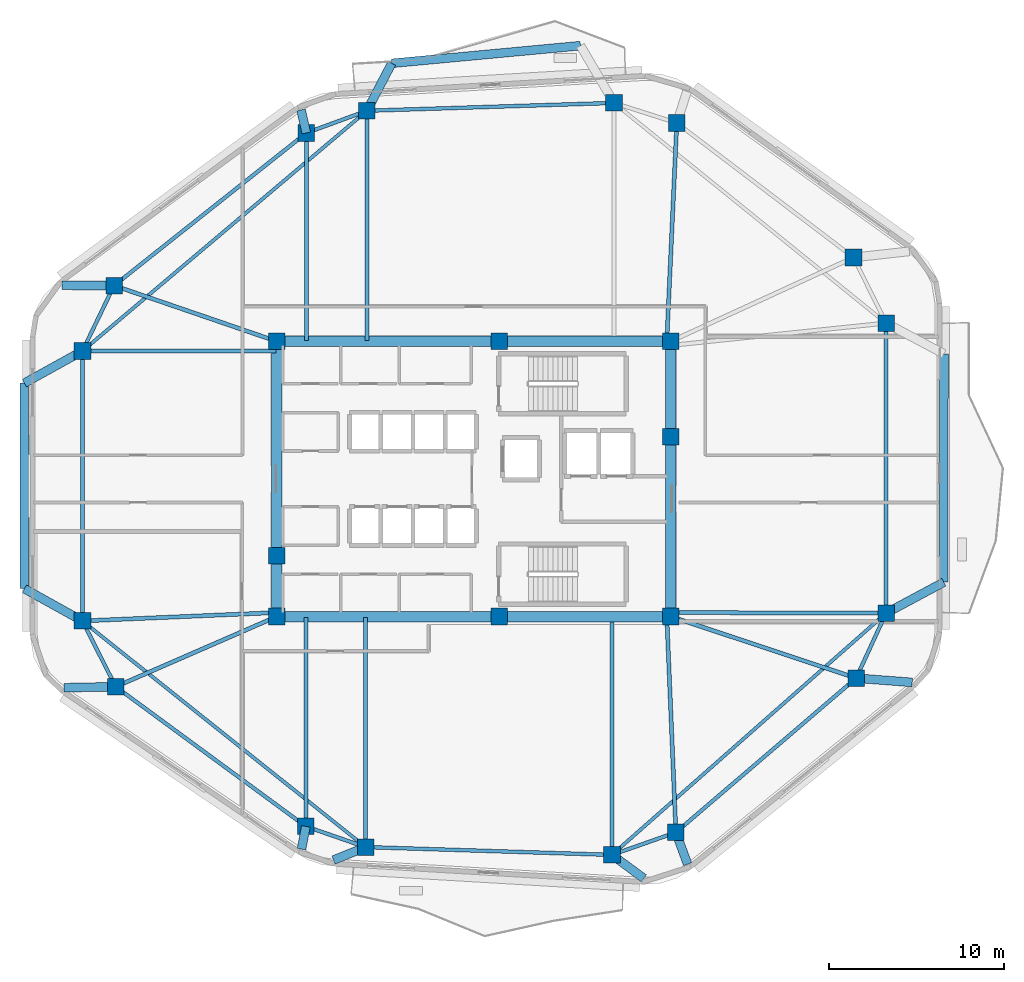
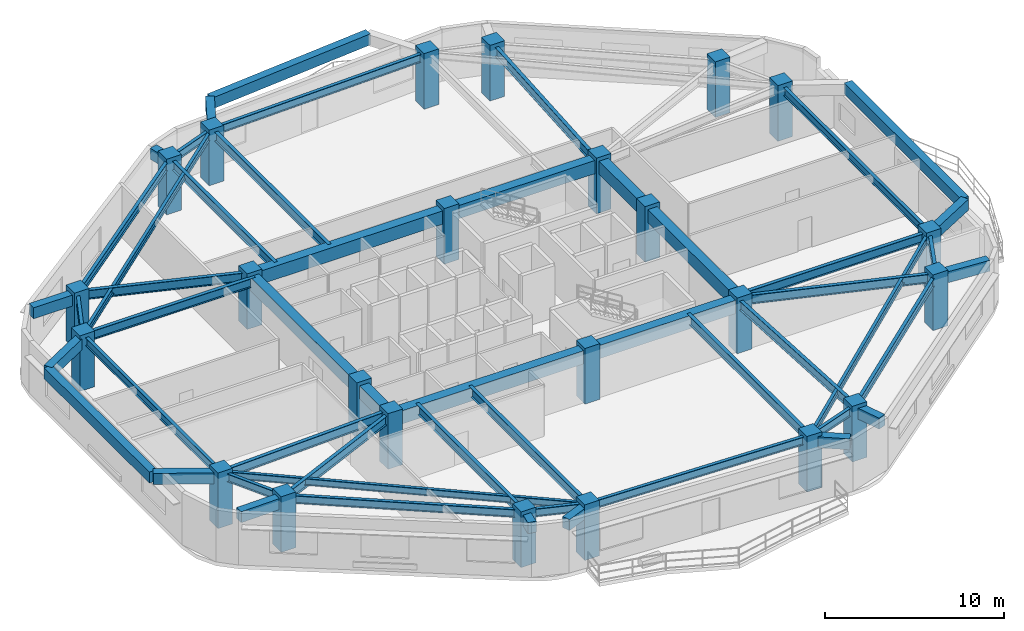
# One storey, part 1 of 8: 52 beams, 24 columns.
"""IFC4 building model written with IfcOpenShell, lengths in metres."""

from ifc_helpers import new_model, si_unit, direction, frame, origin, origin_2d, place, context, subcontext, project, spatial, rectangle, i_section, extrude, material, material_profile, profile_set, type_object, element, save


model = new_model("IFC4")

# Units and contexts
model_context = context("Model", 3, precision=1e-05, world=origin(), true_north=direction((0.0, 1.0)))
body_context = subcontext(model_context, "Body", "Model", "MODEL_VIEW")
ifc_project = project(units=[si_unit("LENGTHUNIT", "METRE"), si_unit("AREAUNIT", "SQUARE_METRE"), si_unit("VOLUMEUNIT", "CUBIC_METRE"), si_unit("PLANEANGLEUNIT", "RADIAN"), si_unit("MASSUNIT", "GRAM", prefix="KILO")], contexts=[model_context])

# Site, building, storey
site_placement = place(None, origin())
site = spatial("IfcSite", under=ifc_project, at=site_placement, CompositionType="ELEMENT")
building_placement = place(site_placement, origin())
building = spatial("IfcBuilding", under=site, at=building_placement, Name="Zulverin Broadcast Headquarters", CompositionType="ELEMENT")
storey_placement = place(building_placement, frame((0.0, 0.0, 204.800048828125)))
storey = spatial("IfcBuildingStorey", under=building, at=storey_placement, Name="L52", CompositionType="ELEMENT", Elevation=204.800048828125)

# Columns
ifc_material_1 = material(Name="Concrete C50/60", Category="concrete")
ifc_material_profile_1 = material_profile(ifc_material_1, rectangle(XDim=0.949951171875, YDim=0.949951171875, at=origin_2d()), Name="Concrete C50/60", Category="concrete")
ifc_profile_set_1 = profile_set([ifc_material_profile_1], Name="Concrete C50/60")
column_type_1 = type_object("IfcColumnType", Name="COL-RC-950", PredefinedType="COLUMN", material=ifc_profile_set_1)
for number, where, z_axis, x_axis, name in (
    (1, (30.80859375, 4.12744140625, 0.0), (0.0, 0.0, 1.0), (1.0, 0.0, 0.0), "L52 Perimeter Column T01"),
    (2, (44.909912109375, 3.68017578125, 0.0), (0.0, 0.0, 1.0), (1.0, 0.0, 0.0), "L52 Perimeter Column T02"),
    (3, (48.569580078125, 4.967041015625, 0.0), (0.0, 0.0, 1.0), (1.0, 0.0, 0.0), "L52 Perimeter Column T03"),
    (4, (58.886962890625, 13.798095703125, 0.0), (0.0, 0.0, 1.0), (1.0, 0.0, 0.0), "L52 Perimeter Column T04"),
    (5, (60.60009765625, 17.519287109375, 0.0), (0.0, 0.0, 1.0), (1.0, 0.0, 0.0), "L52 Perimeter Column T05"),
    (6, (60.60009765625, 34.12158203125, 0.0), (0.0, 0.0, 1.0), (1.0, 0.0, 0.0), "L52 Perimeter Column T06"),
    (7, (58.738037109375, 37.877685546875, 0.0), (0.0, 0.0, 1.0), (1.0, 0.0, 0.0), "L52 Perimeter Column T07"),
    (8, (48.62158203125, 45.574951171875, 0.0), (0.0, 0.0, 1.0), (1.0, 0.0, 0.0), "L52 Perimeter Column T08"),
    (9, (45.027587890625, 46.7236328125, 0.0), (0.0, 0.0, 1.0), (1.0, 0.0, 0.0), "L52 Perimeter Column T09"),
    (10, (30.882080078125, 46.27490234375, 0.0), (0.0, 0.0, 1.0), (1.0, 0.0, 0.0), "L52 Perimeter Column T10"),
    (11, (27.416259765625, 45.00439453125, 0.0), (0.0, 0.0, 1.0), (1.0, 0.0, 0.0), "L52 Perimeter Column T11"),
    (12, (16.40869140625, 36.26806640625, 0.0), (0.0, 0.0, 1.0), (1.0, 0.0, 0.0), "L52 Perimeter Column T12"),
    (13, (14.60009765625, 32.523193359375, 0.0), (0.0, 0.0, 1.0), (1.0, 0.0, 0.0), "L52 Perimeter Column T13"),
    (14, (14.60009765625, 17.072021484375, 0.0), (0.0, 0.0, 1.0), (1.0, 0.0, 0.0), "L52 Perimeter Column T14"),
    (15, (16.50537109375, 13.306884765625, 0.0), (0.0, 0.0, 1.0), (1.0, 0.0, 0.0), "L52 Perimeter Column T15"),
    (16, (27.38720703125, 5.309814453125, 0.0), (0.0, 0.0, 1.0), (1.0, 0.0, 0.0), "L52 Perimeter Column T16"),
):
    element("IfcColumn", number, at=place(storey_placement, frame(where, z_axis=z_axis, x_axis=x_axis)), inside=storey, type_object=column_type_1, Name=name, PredefinedType="COLUMN", context=body_context, shape_type="SweptSolid", body=[
        extrude(rectangle(XDim=0.949951171875, YDim=0.949951171875, at=origin_2d()), origin(), (0.0, 0.0, 1.0), 3.800048828125),
    ])
ifc_material_profile_2 = material_profile(ifc_material_1, rectangle(XDim=0.949951171875, YDim=0.949951171875, at=origin_2d()), Name="Concrete C50/60", Category="concrete")
ifc_profile_set_2 = profile_set([ifc_material_profile_2], Name="Concrete C50/60")
column_type_2 = type_object("IfcColumnType", Name="PIL-RC-950", PredefinedType="PILASTER", material=ifc_profile_set_2)
for number, where, z_axis, x_axis, name in (
    (17, (25.72509765625, 17.324951171875, 0.0), (0.0, 0.0, 1.0), (1.0, 0.0, 0.0), "L52 Core Pilaster K01"),
    (18, (38.449951171875, 17.324951171875, 0.0), (0.0, 0.0, 1.0), (1.0, 0.0, 0.0), "L52 Core Pilaster K02"),
    (19, (48.27490234375, 17.324951171875, 0.0), (0.0, 0.0, 1.0), (1.0, 0.0, 0.0), "L52 Core Pilaster K03"),
    (20, (48.27490234375, 27.6201171875, 0.0), (0.0, 0.0, 1.0), (1.0, 0.0, 0.0), "L52 Core Pilaster K04"),
    (21, (48.27490234375, 33.074951171875, 0.0), (0.0, 0.0, 1.0), (1.0, 0.0, 0.0), "L52 Core Pilaster K05"),
    (22, (38.449951171875, 33.074951171875, 0.0), (0.0, 0.0, 1.0), (1.0, 0.0, 0.0), "L52 Core Pilaster K06"),
    (23, (25.72509765625, 33.074951171875, 0.0), (0.0, 0.0, 1.0), (1.0, 0.0, 0.0), "L52 Core Pilaster K07"),
    (24, (25.72509765625, 20.800048828125, 0.0), (0.0, 0.0, 1.0), (1.0, 0.0, 0.0), "L52 Core Pilaster K08"),
):
    element("IfcColumn", number, at=place(storey_placement, frame(where, z_axis=z_axis, x_axis=x_axis)), inside=storey, type_object=column_type_2, Name=name, PredefinedType="PILASTER", context=body_context, shape_type="SweptSolid", body=[
        extrude(rectangle(XDim=0.949951171875, YDim=0.949951171875, at=origin_2d()), origin(), (0.0, 0.0, 1.0), 3.800048828125),
    ])

# Beams
ifc_material_2 = material(Name="Concrete C60/75", Category="concrete")
ifc_material_profile_3 = material_profile(ifc_material_2, rectangle(XDim=0.60009765625, YDim=0.89990234375, at=origin_2d()), Name="Concrete C60/75", Category="concrete")
ifc_profile_set_3 = profile_set([ifc_material_profile_3], Name="Concrete C60/75")
beam_type_1 = type_object("IfcBeamType", Name="BM-CB-600x900", PredefinedType="LINTEL", material=ifc_profile_set_3)
beam_1_placement = place(storey_placement, frame((25.72509765625, 17.324951171875, 3.08984375), z_axis=(1.0, 0.0, 0.0), x_axis=(0.0, 1.0, 0.0)))
element("IfcBeam", 25, at=beam_1_placement, inside=storey, type_object=beam_type_1, Name="L52 Core Coupling Girder K01-K02", PredefinedType="LINTEL", context=body_context, shape_type="SweptSolid", body=[
    extrude(rectangle(XDim=0.60009765625, YDim=0.89990234375, at=origin_2d()), origin(), (0.0, 0.0, 1.0), 12.724853515625),
])
beam_2_placement = place(storey_placement, frame((38.449951171875, 17.324951171875, 3.08984375), z_axis=(1.0, 0.0, 0.0), x_axis=(0.0, 1.0, 0.0)))
element("IfcBeam", 26, at=beam_2_placement, inside=storey, type_object=beam_type_1, Name="L52 Core Coupling Girder K02-K03", PredefinedType="LINTEL", context=body_context, shape_type="SweptSolid", body=[
    extrude(rectangle(XDim=0.60009765625, YDim=0.89990234375, at=origin_2d()), origin(), (0.0, 0.0, 1.0), 9.824951171875),
])
beam_3_placement = place(storey_placement, frame((48.27490234375, 17.324951171875, 3.08984375), z_axis=(0.0, 1.0, 0.0), x_axis=(-1.0, 0.0, 0.0)))
element("IfcBeam", 27, at=beam_3_placement, inside=storey, type_object=beam_type_1, Name="L52 Core Coupling Girder K03-K04", PredefinedType="LINTEL", context=body_context, shape_type="SweptSolid", body=[
    extrude(rectangle(XDim=0.60009765625, YDim=0.89990234375, at=origin_2d()), origin(), (0.0, 0.0, 1.0), 10.295166015625),
])
beam_4_placement = place(storey_placement, frame((48.27490234375, 27.6201171875, 3.08984375), z_axis=(0.0, 1.0, 0.0), x_axis=(-1.0, 0.0, 0.0)))
element("IfcBeam", 28, at=beam_4_placement, inside=storey, type_object=beam_type_1, Name="L52 Core Coupling Girder K04-K05", PredefinedType="LINTEL", context=body_context, shape_type="SweptSolid", body=[
    extrude(rectangle(XDim=0.60009765625, YDim=0.89990234375, at=origin_2d()), origin(), (0.0, 0.0, 1.0), 5.454833984375),
])
beam_5_placement = place(storey_placement, frame((48.27490234375, 33.074951171875, 3.08984375), z_axis=(-1.0, 0.0, 0.0), x_axis=(0.0, -1.0, 0.0)))
element("IfcBeam", 29, at=beam_5_placement, inside=storey, type_object=beam_type_1, Name="L52 Core Coupling Girder K05-K06", PredefinedType="LINTEL", context=body_context, shape_type="SweptSolid", body=[
    extrude(rectangle(XDim=0.60009765625, YDim=0.89990234375, at=origin_2d()), origin(), (0.0, 0.0, 1.0), 9.824951171875),
])
beam_6_placement = place(storey_placement, frame((38.449951171875, 33.074951171875, 3.08984375), z_axis=(-1.0, 0.0, 0.0), x_axis=(0.0, -1.0, 0.0)))
element("IfcBeam", 30, at=beam_6_placement, inside=storey, type_object=beam_type_1, Name="L52 Core Coupling Girder K06-K07", PredefinedType="LINTEL", context=body_context, shape_type="SweptSolid", body=[
    extrude(rectangle(XDim=0.60009765625, YDim=0.89990234375, at=origin_2d()), origin(), (0.0, 0.0, 1.0), 12.724853515625),
])
beam_7_placement = place(storey_placement, frame((25.72509765625, 33.074951171875, 3.08984375), z_axis=(0.0, -1.0, 0.0), x_axis=(1.0, 0.0, 0.0)))
element("IfcBeam", 31, at=beam_7_placement, inside=storey, type_object=beam_type_1, Name="L52 Core Coupling Girder K07-K08", PredefinedType="LINTEL", context=body_context, shape_type="SweptSolid", body=[
    extrude(rectangle(XDim=0.60009765625, YDim=0.89990234375, at=origin_2d()), origin(), (0.0, 0.0, 1.0), 12.27490234375),
])
beam_8_placement = place(storey_placement, frame((25.72509765625, 20.800048828125, 3.08984375), z_axis=(0.0, -1.0, 0.0), x_axis=(1.0, 0.0, 0.0)))
element("IfcBeam", 32, at=beam_8_placement, inside=storey, type_object=beam_type_1, Name="L52 Core Coupling Girder K08-K01", PredefinedType="LINTEL", context=body_context, shape_type="SweptSolid", body=[
    extrude(rectangle(XDim=0.60009765625, YDim=0.89990234375, at=origin_2d()), origin(), (0.0, 0.0, 1.0), 3.47509765625),
])
ifc_material_3 = material(Name="Concrete C40/50", Category="concrete")
ifc_material_profile_4 = material_profile(ifc_material_3, rectangle(XDim=0.5, YDim=0.75, at=origin_2d()), Name="Concrete C40/50", Category="concrete")
ifc_profile_set_4 = profile_set([ifc_material_profile_4], Name="Concrete C40/50")
beam_type_2 = type_object("IfcBeamType", Name="BM-RC-500x750", PredefinedType="BEAM", material=ifc_profile_set_4)
beam_9_placement = place(storey_placement, frame((30.80859375, 4.12744140625, 3.1650390625), z_axis=(-0.926598490147, -0.376052174649, 0.0), x_axis=(0.376052174649, -0.926598490147, 0.0)))
element("IfcBeam", 33, at=beam_9_placement, inside=storey, type_object=beam_type_2, Name="L53 Plate Overhang Back-Spanned Beam OVR-01", PredefinedType="BEAM", context=body_context, shape_type="SweptSolid", body=[
    extrude(rectangle(XDim=0.5, YDim=0.75, at=origin_2d()), origin(), (0.0, 0.0, 1.0), 1.9755859375),
])
beam_10_placement = place(storey_placement, frame((44.909912109375, 3.68017578125, 3.1650390625), z_axis=(0.805245889959, -0.592941022956, 0.0), x_axis=(0.592941022956, 0.805245889959, 0.0)))
element("IfcBeam", 34, at=beam_10_placement, inside=storey, type_object=beam_type_2, Name="L53 Plate Overhang Back-Spanned Beam OVR-02", PredefinedType="BEAM", context=body_context, shape_type="SweptSolid", body=[
    extrude(rectangle(XDim=0.5, YDim=0.75, at=origin_2d()), origin(), (0.0, 0.0, 1.0), 2.259765625),
])
beam_11_placement = place(storey_placement, frame((48.569580078125, 4.967041015625, 3.1650390625), z_axis=(0.345752020663, -0.938325924297, 0.0), x_axis=(0.938325924297, 0.345752020663, 0.0)))
element("IfcBeam", 35, at=beam_11_placement, inside=storey, type_object=beam_type_2, Name="L53 Plate Overhang Back-Spanned Beam OVR-03", PredefinedType="BEAM", context=body_context, shape_type="SweptSolid", body=[
    extrude(rectangle(XDim=0.5, YDim=0.75, at=origin_2d()), origin(), (0.0, 0.0, 1.0), 1.939697265625),
])
beam_12_placement = place(storey_placement, frame((58.886962890625, 13.798095703125, 3.1650390625), z_axis=(0.997102032175, -0.076075866292, 0.0), x_axis=(0.076075866292, 0.997102032175, 0.0)))
element("IfcBeam", 36, at=beam_12_placement, inside=storey, type_object=beam_type_2, Name="L53 Plate Overhang Back-Spanned Beam OVR-04", PredefinedType="BEAM", context=body_context, shape_type="SweptSolid", body=[
    extrude(rectangle(XDim=0.5, YDim=0.75, at=origin_2d()), origin(), (0.0, 0.0, 1.0), 3.21875),
])
beam_13_placement = place(storey_placement, frame((27.416259765625, 45.00439453125, 3.1650390625), z_axis=(-0.226537446689, 0.97400245649, 0.0), x_axis=(-0.97400245649, -0.226537446689, 0.0)))
element("IfcBeam", 37, at=beam_13_placement, inside=storey, type_object=beam_type_2, Name="L53 Plate Overhang Back-Spanned Beam OVR-11", PredefinedType="BEAM", context=body_context, shape_type="SweptSolid", body=[
    extrude(rectangle(XDim=0.5, YDim=0.75, at=origin_2d()), origin(), (0.0, 0.0, 1.0), 1.349365234375),
])
beam_14_placement = place(storey_placement, frame((16.40869140625, 36.26806640625, 3.1650390625), z_axis=(-0.999987827006, 0.004934150462, 0.0), x_axis=(-0.004934150462, -0.999987827006, 0.0)))
element("IfcBeam", 38, at=beam_14_placement, inside=storey, type_object=beam_type_2, Name="L53 Plate Overhang Back-Spanned Beam OVR-12", PredefinedType="BEAM", context=body_context, shape_type="SweptSolid", body=[
    extrude(rectangle(XDim=0.5, YDim=0.75, at=origin_2d()), origin(), (0.0, 0.0, 1.0), 2.96875),
])
beam_15_placement = place(storey_placement, frame((16.50537109375, 13.306884765625, 3.1650390625), z_axis=(-0.999808645539, -0.019562011805, 0.0), x_axis=(0.019562011805, -0.999808645539, 0.0)))
element("IfcBeam", 39, at=beam_15_placement, inside=storey, type_object=beam_type_2, Name="L53 Plate Overhang Back-Spanned Beam OVR-15", PredefinedType="BEAM", context=body_context, shape_type="SweptSolid", body=[
    extrude(rectangle(XDim=0.5, YDim=0.75, at=origin_2d()), origin(), (0.0, 0.0, 1.0), 2.957763671875),
])
beam_16_placement = place(storey_placement, frame((27.38720703125, 5.309814453125, 3.1650390625), z_axis=(-0.186527092112, -0.982449817501, 0.0), x_axis=(0.982449817501, -0.186527092112, 0.0)))
element("IfcBeam", 40, at=beam_16_placement, inside=storey, type_object=beam_type_2, Name="L53 Plate Overhang Back-Spanned Beam OVR-16", PredefinedType="BEAM", context=body_context, shape_type="SweptSolid", body=[
    extrude(rectangle(XDim=0.5, YDim=0.75, at=origin_2d()), origin(), (0.0, 0.0, 1.0), 1.3232421875),
])
beam_17_placement = place(storey_placement, frame((60.60009765625, 17.519287109375, 3.1650390625), z_axis=(0.881522552511, 0.472141916604, 0.0), x_axis=(-0.472141916604, 0.881522552511, 0.0)))
element("IfcBeam", 41, at=beam_17_placement, inside=storey, type_object=beam_type_2, Name="L53 Balcony Column-Framed Cantilever BAL_E-1", PredefinedType="BEAM", context=body_context, shape_type="SweptSolid", body=[
    extrude(rectangle(XDim=0.5, YDim=0.75, at=origin_2d()), origin(), (0.0, 0.0, 1.0), 3.75),
])
beam_18_placement = place(storey_placement, frame((63.90576171875, 19.289794921875, 3.1650390625), z_axis=(0.000298908969, 0.999999955327, 0.0), x_axis=(-0.999999955327, 0.000298908969, 0.0)))
element("IfcBeam", 42, at=beam_18_placement, inside=storey, type_object=beam_type_2, Name="L53 Balcony Outer Edge Trimmer Beam BAL_E", PredefinedType="BEAM", context=body_context, shape_type="SweptSolid", body=[
    extrude(rectangle(XDim=0.5, YDim=0.75, at=origin_2d()), origin(), (0.0, 0.0, 1.0), 13.068359375),
])
beam_19_placement = place(storey_placement, frame((30.882080078125, 46.27490234375, 3.1650390625), z_axis=(0.464072430328, 0.885797256379, 0.0), x_axis=(-0.885797256379, 0.464072430328, 0.0)))
element("IfcBeam", 43, at=beam_19_placement, inside=storey, type_object=beam_type_2, Name="L53 Balcony Column-Framed Cantilever BAL_N-2", PredefinedType="BEAM", context=body_context, shape_type="SweptSolid", body=[
    extrude(rectangle(XDim=0.5, YDim=0.75, at=origin_2d()), origin(), (0.0, 0.0, 1.0), 3.067138671875),
])
beam_20_placement = place(storey_placement, frame((43.1044921875, 50.001220703125, 3.1650390625), z_axis=(-0.995658966596, -0.093076432231, 0.0), x_axis=(0.093076432231, -0.995658966596, 0.0)))
element("IfcBeam", 44, at=beam_20_placement, inside=storey, type_object=beam_type_2, Name="L53 Balcony Outer Edge Trimmer Beam BAL_N", PredefinedType="BEAM", context=body_context, shape_type="SweptSolid", body=[
    extrude(rectangle(XDim=0.5, YDim=0.75, at=origin_2d()), origin(), (0.0, 0.0, 1.0), 10.84619140625),
])
for number, where, z_axis, x_axis, name in (
    (45, (14.60009765625, 32.523193359375, 3.1650390625), (-0.875019567372, -0.484087550672, 0.0), (0.484087550672, -0.875019567372, 0.0), "L53 Balcony Column-Framed Cantilever BAL_W-1"),
    (46, (14.60009765625, 17.072021484375, 3.1650390625), (-0.874154245552, 0.485648386163, 0.0), (-0.485648386163, -0.874154245552, 0.0), "L53 Balcony Column-Framed Cantilever BAL_W-2"),
):
    element("IfcBeam", number, at=place(storey_placement, frame(where, z_axis=z_axis, x_axis=x_axis)), inside=storey, type_object=beam_type_2, Name=name, PredefinedType="BEAM", context=body_context, shape_type="SweptSolid", body=[
        extrude(rectangle(XDim=0.5, YDim=0.75, at=origin_2d()), origin(), (0.0, 0.0, 1.0), 3.800048828125),
    ])
beam_21_placement = place(storey_placement, frame((11.27490234375, 30.68359375, 3.1650390625), z_axis=(0.00029049258, -0.999999957807, 0.0), x_axis=(0.999999957807, 0.00029049258, 0.0)))
element("IfcBeam", 47, at=beam_21_placement, inside=storey, type_object=beam_type_2, Name="L53 Balcony Outer Edge Trimmer Beam BAL_W", PredefinedType="BEAM", context=body_context, shape_type="SweptSolid", body=[
    extrude(rectangle(XDim=0.5, YDim=0.75, at=origin_2d()), origin(), (0.0, 0.0, 1.0), 11.76611328125),
])
ifc_material_4 = material(Name="Structural steel S355JR", Category="steel")
ifc_material_profile_5 = material_profile(ifc_material_4, i_section(OverallWidth=0.19287109375, OverallDepth=0.46728515625, WebThickness=0.011474609375, FlangeThickness=0.01953125, at=origin_2d()), Name="Structural steel S355JR", Category="steel")
ifc_profile_set_5 = profile_set([ifc_material_profile_5], Name="Structural steel S355JR")
beam_type_3 = type_object("IfcBeamType", Name="BM-UB-457", PredefinedType="JOIST", material=ifc_profile_set_5)
beam_22_placement = place(storey_placement, frame((44.909912109375, 3.68017578125, 3.306396484375), z_axis=(0.74996043981, 0.661482682102, 0.0), x_axis=(-0.661482682102, 0.74996043981, 0.0)))
element("IfcBeam", 48, at=beam_22_placement, inside=storey, type_object=beam_type_3, Name="L52 Chordal Floor Joist J-01", PredefinedType="JOIST", context=body_context, shape_type="SweptSolid", body=[
    extrude(i_section(OverallWidth=0.19287109375, OverallDepth=0.46728515625, WebThickness=0.011474609375, FlangeThickness=0.01953125, at=origin_2d()), origin(), (0.0, 0.0, 1.0), 20.92138671875),
])
beam_23_placement = place(storey_placement, frame((30.882080078125, 46.27490234375, 3.306396484375), z_axis=(-0.763972566446, -0.645248725468, 0.0), x_axis=(0.645248725468, -0.763972566446, 0.0)))
element("IfcBeam", 49, at=beam_23_placement, inside=storey, type_object=beam_type_3, Name="L52 Chordal Floor Joist J-03", PredefinedType="JOIST", context=body_context, shape_type="SweptSolid", body=[
    extrude(i_section(OverallWidth=0.19287109375, OverallDepth=0.46728515625, WebThickness=0.011474609375, FlangeThickness=0.01953125, at=origin_2d()), origin(), (0.0, 0.0, 1.0), 21.312255859375),
])
beam_24_placement = place(storey_placement, frame((14.60009765625, 17.072021484375, 3.306396484375), z_axis=(0.781390996609, -0.624041753746, 0.0), x_axis=(0.624041753746, 0.781390996609, 0.0)))
element("IfcBeam", 50, at=beam_24_placement, inside=storey, type_object=beam_type_3, Name="L52 Chordal Floor Joist J-04", PredefinedType="JOIST", context=body_context, shape_type="SweptSolid", body=[
    extrude(i_section(OverallWidth=0.19287109375, OverallDepth=0.46728515625, WebThickness=0.011474609375, FlangeThickness=0.01953125, at=origin_2d()), origin(), (0.0, 0.0, 1.0), 20.7431640625),
])
ifc_material_profile_6 = material_profile(ifc_material_4, i_section(OverallWidth=0.2119140625, OverallDepth=0.54443359375, WebThickness=0.0126953125, FlangeThickness=0.021240234375, at=origin_2d()), Name="Structural steel S355JR", Category="steel")
ifc_profile_set_6 = profile_set([ifc_material_profile_6], Name="Structural steel S355JR")
beam_type_4 = type_object("IfcBeamType", Name="BM-UB-533", PredefinedType="SPANDREL", material=ifc_profile_set_6)
beam_25_placement = place(storey_placement, frame((30.80859375, 4.12744140625, 3.267578125), z_axis=(0.999497363437, -0.031702058031, 0.0), x_axis=(0.031702058031, 0.999497363437, 0.0)))
element("IfcBeam", 51, at=beam_25_placement, inside=storey, type_object=beam_type_4, Name="L52 Perimeter Spandrel Beam SP-01", PredefinedType="SPANDREL", context=body_context, shape_type="SweptSolid", body=[
    extrude(i_section(OverallWidth=0.2119140625, OverallDepth=0.54443359375, WebThickness=0.0126953125, FlangeThickness=0.021240234375, at=origin_2d()), origin(), (0.0, 0.0, 1.0), 14.1083984375),
])
beam_26_placement = place(storey_placement, frame((44.909912109375, 3.68017578125, 3.267578125), z_axis=(0.943376593622, 0.331723684121, 0.0), x_axis=(-0.331723684121, 0.943376593622, 0.0)))
element("IfcBeam", 52, at=beam_26_placement, inside=storey, type_object=beam_type_4, Name="L52 Perimeter Spandrel Beam SP-02", PredefinedType="SPANDREL", context=body_context, shape_type="SweptSolid", body=[
    extrude(i_section(OverallWidth=0.2119140625, OverallDepth=0.54443359375, WebThickness=0.0126953125, FlangeThickness=0.021240234375, at=origin_2d()), origin(), (0.0, 0.0, 1.0), 3.87939453125),
])
beam_27_placement = place(storey_placement, frame((48.569580078125, 4.967041015625, 3.267578125), z_axis=(0.759708170965, 0.650264173217, 0.0), x_axis=(-0.650264173217, 0.759708170965, 0.0)))
element("IfcBeam", 53, at=beam_27_placement, inside=storey, type_object=beam_type_4, Name="L52 Perimeter Spandrel Beam SP-03", PredefinedType="SPANDREL", context=body_context, shape_type="SweptSolid", body=[
    extrude(i_section(OverallWidth=0.2119140625, OverallDepth=0.54443359375, WebThickness=0.0126953125, FlangeThickness=0.021240234375, at=origin_2d()), origin(), (0.0, 0.0, 1.0), 13.580810546875),
])
beam_28_placement = place(storey_placement, frame((58.886962890625, 13.798095703125, 3.267578125), z_axis=(0.418184975358, 0.90836189175, 0.0), x_axis=(-0.90836189175, 0.418184975358, 0.0)))
element("IfcBeam", 54, at=beam_28_placement, inside=storey, type_object=beam_type_4, Name="L52 Perimeter Spandrel Beam SP-04", PredefinedType="SPANDREL", context=body_context, shape_type="SweptSolid", body=[
    extrude(i_section(OverallWidth=0.2119140625, OverallDepth=0.54443359375, WebThickness=0.0126953125, FlangeThickness=0.021240234375, at=origin_2d()), origin(), (0.0, 0.0, 1.0), 4.0966796875),
])
beam_29_placement = place(storey_placement, frame((60.60009765625, 17.519287109375, 3.267578125), z_axis=(0.0, 1.0, 0.0), x_axis=(-1.0, 0.0, 0.0)))
element("IfcBeam", 55, at=beam_29_placement, inside=storey, type_object=beam_type_4, Name="L52 Perimeter Spandrel Beam SP-05", PredefinedType="SPANDREL", context=body_context, shape_type="SweptSolid", body=[
    extrude(i_section(OverallWidth=0.2119140625, OverallDepth=0.54443359375, WebThickness=0.0126953125, FlangeThickness=0.021240234375, at=origin_2d()), origin(), (0.0, 0.0, 1.0), 16.602294921875),
])
beam_30_placement = place(storey_placement, frame((45.027587890625, 46.7236328125, 3.267578125), z_axis=(-0.999497221833, -0.031706522156, 0.0), x_axis=(0.031706522156, -0.999497221833, 0.0)))
element("IfcBeam", 56, at=beam_30_placement, inside=storey, type_object=beam_type_4, Name="L52 Perimeter Spandrel Beam SP-09", PredefinedType="SPANDREL", context=body_context, shape_type="SweptSolid", body=[
    extrude(i_section(OverallWidth=0.2119140625, OverallDepth=0.54443359375, WebThickness=0.0126953125, FlangeThickness=0.021240234375, at=origin_2d()), origin(), (0.0, 0.0, 1.0), 14.152587890625),
])
beam_31_placement = place(storey_placement, frame((30.882080078125, 46.27490234375, 3.267578125), z_axis=(-0.938901965426, -0.344184687805, 0.0), x_axis=(0.344184687805, -0.938901965426, 0.0)))
element("IfcBeam", 57, at=beam_31_placement, inside=storey, type_object=beam_type_4, Name="L52 Perimeter Spandrel Beam SP-10", PredefinedType="SPANDREL", context=body_context, shape_type="SweptSolid", body=[
    extrude(i_section(OverallWidth=0.2119140625, OverallDepth=0.54443359375, WebThickness=0.0126953125, FlangeThickness=0.021240234375, at=origin_2d()), origin(), (0.0, 0.0, 1.0), 3.69140625),
])
beam_32_placement = place(storey_placement, frame((27.416259765625, 45.00439453125, 3.267578125), z_axis=(-0.783283263401, -0.621664965457, 0.0), x_axis=(0.621664965457, -0.783283263401, 0.0)))
element("IfcBeam", 58, at=beam_32_placement, inside=storey, type_object=beam_type_4, Name="L52 Perimeter Spandrel Beam SP-11", PredefinedType="SPANDREL", context=body_context, shape_type="SweptSolid", body=[
    extrude(i_section(OverallWidth=0.2119140625, OverallDepth=0.54443359375, WebThickness=0.0126953125, FlangeThickness=0.021240234375, at=origin_2d()), origin(), (0.0, 0.0, 1.0), 14.05322265625),
])
beam_33_placement = place(storey_placement, frame((16.40869140625, 36.26806640625, 3.267578125), z_axis=(-0.434890248034, -0.900483465792, 0.0), x_axis=(0.900483465792, -0.434890248034, 0.0)))
element("IfcBeam", 59, at=beam_33_placement, inside=storey, type_object=beam_type_4, Name="L52 Perimeter Spandrel Beam SP-12", PredefinedType="SPANDREL", context=body_context, shape_type="SweptSolid", body=[
    extrude(i_section(OverallWidth=0.2119140625, OverallDepth=0.54443359375, WebThickness=0.0126953125, FlangeThickness=0.021240234375, at=origin_2d()), origin(), (0.0, 0.0, 1.0), 4.15869140625),
])
beam_34_placement = place(storey_placement, frame((14.60009765625, 32.523193359375, 3.267578125), z_axis=(0.0, -1.0, 0.0), x_axis=(1.0, 0.0, 0.0)))
element("IfcBeam", 60, at=beam_34_placement, inside=storey, type_object=beam_type_4, Name="L52 Perimeter Spandrel Beam SP-13", PredefinedType="SPANDREL", context=body_context, shape_type="SweptSolid", body=[
    extrude(i_section(OverallWidth=0.2119140625, OverallDepth=0.54443359375, WebThickness=0.0126953125, FlangeThickness=0.021240234375, at=origin_2d()), origin(), (0.0, 0.0, 1.0), 15.451171875),
])
beam_35_placement = place(storey_placement, frame((14.60009765625, 17.072021484375, 3.267578125), z_axis=(0.451512947895, -0.892264567201, 0.0), x_axis=(0.892264567201, 0.451512947895, 0.0)))
element("IfcBeam", 61, at=beam_35_placement, inside=storey, type_object=beam_type_4, Name="L52 Perimeter Spandrel Beam SP-14", PredefinedType="SPANDREL", context=body_context, shape_type="SweptSolid", body=[
    extrude(i_section(OverallWidth=0.2119140625, OverallDepth=0.54443359375, WebThickness=0.0126953125, FlangeThickness=0.021240234375, at=origin_2d()), origin(), (0.0, 0.0, 1.0), 4.2197265625),
])
beam_36_placement = place(storey_placement, frame((16.50537109375, 13.306884765625, 3.267578125), z_axis=(0.805802234061, -0.592184734338, 0.0), x_axis=(0.592184734338, 0.805802234061, 0.0)))
element("IfcBeam", 62, at=beam_36_placement, inside=storey, type_object=beam_type_4, Name="L52 Perimeter Spandrel Beam SP-15", PredefinedType="SPANDREL", context=body_context, shape_type="SweptSolid", body=[
    extrude(i_section(OverallWidth=0.2119140625, OverallDepth=0.54443359375, WebThickness=0.0126953125, FlangeThickness=0.021240234375, at=origin_2d()), origin(), (0.0, 0.0, 1.0), 13.50439453125),
])
beam_37_placement = place(storey_placement, frame((27.38720703125, 5.309814453125, 3.267578125), z_axis=(0.945152732867, -0.326628705956, 0.0), x_axis=(0.326628705956, 0.945152732867, 0.0)))
element("IfcBeam", 63, at=beam_37_placement, inside=storey, type_object=beam_type_4, Name="L52 Perimeter Spandrel Beam SP-16", PredefinedType="SPANDREL", context=body_context, shape_type="SweptSolid", body=[
    extrude(i_section(OverallWidth=0.2119140625, OverallDepth=0.54443359375, WebThickness=0.0126953125, FlangeThickness=0.021240234375, at=origin_2d()), origin(), (0.0, 0.0, 1.0), 3.619873046875),
])
ifc_material_profile_7 = material_profile(ifc_material_4, i_section(OverallWidth=0.230224609375, OverallDepth=0.6171875, WebThickness=0.01318359375, FlangeThickness=0.022216796875, at=origin_2d()), Name="Structural steel S355JR", Category="steel")
ifc_profile_set_7 = profile_set([ifc_material_profile_7], Name="Structural steel S355JR")
beam_type_5 = type_object("IfcBeamType", Name="BM-UB-610", PredefinedType="BEAM", material=ifc_profile_set_7)
beam_38_placement = place(storey_placement, frame((30.80859375, 17.27490234375, 3.2314453125), z_axis=(0.0, -1.0, 0.0), x_axis=(1.0, 0.0, 0.0)))
element("IfcBeam", 64, at=beam_38_placement, inside=storey, type_object=beam_type_5, Name="L52 Radial Primary Floor Beam RB-01", PredefinedType="BEAM", context=body_context, shape_type="SweptSolid", body=[
    extrude(i_section(OverallWidth=0.230224609375, OverallDepth=0.6171875, WebThickness=0.01318359375, FlangeThickness=0.022216796875, at=origin_2d()), origin(), (0.0, 0.0, 1.0), 13.1474609375),
])
beam_39_placement = place(storey_placement, frame((44.909912109375, 17.27490234375, 3.2314453125), z_axis=(0.0, -1.0, 0.0), x_axis=(1.0, 0.0, 0.0)))
element("IfcBeam", 65, at=beam_39_placement, inside=storey, type_object=beam_type_5, Name="L52 Radial Primary Floor Beam RB-02", PredefinedType="BEAM", context=body_context, shape_type="SweptSolid", body=[
    extrude(i_section(OverallWidth=0.230224609375, OverallDepth=0.6171875, WebThickness=0.01318359375, FlangeThickness=0.022216796875, at=origin_2d()), origin(), (0.0, 0.0, 1.0), 13.5947265625),
])
beam_40_placement = place(storey_placement, frame((48.050048828125, 17.27490234375, 3.2314453125), z_axis=(0.042173778549, -0.99911029041, 0.0), x_axis=(0.99911029041, 0.042173778549, 0.0)))
element("IfcBeam", 66, at=beam_40_placement, inside=storey, type_object=beam_type_5, Name="L52 Radial Primary Floor Beam RB-03", PredefinedType="BEAM", context=body_context, shape_type="SweptSolid", body=[
    extrude(i_section(OverallWidth=0.230224609375, OverallDepth=0.6171875, WebThickness=0.01318359375, FlangeThickness=0.022216796875, at=origin_2d()), origin(), (0.0, 0.0, 1.0), 12.31884765625),
])
beam_41_placement = place(storey_placement, frame((48.27490234375, 17.324951171875, 3.2314453125), z_axis=(0.948964552547, -0.315382748432, 0.0), x_axis=(0.315382748432, 0.948964552547, 0.0)))
element("IfcBeam", 67, at=beam_41_placement, inside=storey, type_object=beam_type_5, Name="L52 Radial Primary Floor Beam RB-04", PredefinedType="BEAM", context=body_context, shape_type="SweptSolid", body=[
    extrude(i_section(OverallWidth=0.230224609375, OverallDepth=0.6171875, WebThickness=0.01318359375, FlangeThickness=0.022216796875, at=origin_2d()), origin(), (0.0, 0.0, 1.0), 11.182861328125),
])
beam_42_placement = place(storey_placement, frame((48.324951171875, 17.550048828125, 3.2314453125), z_axis=(0.999996859956, -0.002506008559, 0.0), x_axis=(0.002506008559, 0.999996859956, 0.0)))
element("IfcBeam", 68, at=beam_42_placement, inside=storey, type_object=beam_type_5, Name="L52 Radial Primary Floor Beam RB-05", PredefinedType="BEAM", context=body_context, shape_type="SweptSolid", body=[
    extrude(i_section(OverallWidth=0.230224609375, OverallDepth=0.6171875, WebThickness=0.01318359375, FlangeThickness=0.022216796875, at=origin_2d()), origin(), (0.0, 0.0, 1.0), 12.275146484375),
])
beam_43_placement = place(storey_placement, frame((48.050048828125, 33.125, 3.2314453125), z_axis=(0.045858166026, 0.998947960911, 0.0), x_axis=(-0.998947960911, 0.045858166026, 0.0)))
element("IfcBeam", 69, at=beam_43_placement, inside=storey, type_object=beam_type_5, Name="L52 Radial Primary Floor Beam RB-08", PredefinedType="BEAM", context=body_context, shape_type="SweptSolid", body=[
    extrude(i_section(OverallWidth=0.230224609375, OverallDepth=0.6171875, WebThickness=0.01318359375, FlangeThickness=0.022216796875, at=origin_2d()), origin(), (0.0, 0.0, 1.0), 12.463134765625),
])
beam_44_placement = place(storey_placement, frame((30.882080078125, 33.125, 3.2314453125), z_axis=(0.0, 1.0, 0.0), x_axis=(-1.0, 0.0, 0.0)))
element("IfcBeam", 70, at=beam_44_placement, inside=storey, type_object=beam_type_5, Name="L52 Radial Primary Floor Beam RB-10", PredefinedType="BEAM", context=body_context, shape_type="SweptSolid", body=[
    extrude(i_section(OverallWidth=0.230224609375, OverallDepth=0.6171875, WebThickness=0.01318359375, FlangeThickness=0.022216796875, at=origin_2d()), origin(), (0.0, 0.0, 1.0), 13.14990234375),
])
beam_45_placement = place(storey_placement, frame((27.416259765625, 33.125, 3.2314453125), z_axis=(0.0, 1.0, 0.0), x_axis=(-1.0, 0.0, 0.0)))
element("IfcBeam", 71, at=beam_45_placement, inside=storey, type_object=beam_type_5, Name="L52 Radial Primary Floor Beam RB-11", PredefinedType="BEAM", context=body_context, shape_type="SweptSolid", body=[
    extrude(i_section(OverallWidth=0.230224609375, OverallDepth=0.6171875, WebThickness=0.01318359375, FlangeThickness=0.022216796875, at=origin_2d()), origin(), (0.0, 0.0, 1.0), 11.87939453125),
])
beam_46_placement = place(storey_placement, frame((25.72509765625, 33.074951171875, 3.2314453125), z_axis=(-0.945979621685, 0.324226086793, 0.0), x_axis=(-0.324226086793, -0.945979621685, 0.0)))
element("IfcBeam", 72, at=beam_46_placement, inside=storey, type_object=beam_type_5, Name="L52 Radial Primary Floor Beam RB-12", PredefinedType="BEAM", context=body_context, shape_type="SweptSolid", body=[
    extrude(i_section(OverallWidth=0.230224609375, OverallDepth=0.6171875, WebThickness=0.01318359375, FlangeThickness=0.022216796875, at=origin_2d()), origin(), (0.0, 0.0, 1.0), 9.848388671875),
])
beam_47_placement = place(storey_placement, frame((25.675048828125, 32.523193359375, 3.2314453125), z_axis=(-1.0, 0.0, 0.0), x_axis=(0.0, -1.0, 0.0)))
element("IfcBeam", 73, at=beam_47_placement, inside=storey, type_object=beam_type_5, Name="L52 Radial Primary Floor Beam RB-13", PredefinedType="BEAM", context=body_context, shape_type="SweptSolid", body=[
    extrude(i_section(OverallWidth=0.230224609375, OverallDepth=0.6171875, WebThickness=0.01318359375, FlangeThickness=0.022216796875, at=origin_2d()), origin(), (0.0, 0.0, 1.0), 11.074951171875),
])
beam_48_placement = place(storey_placement, frame((25.675048828125, 17.550048828125, 3.2314453125), z_axis=(-0.999069780306, -0.043122779134, 0.0), x_axis=(0.043122779134, -0.999069780306, 0.0)))
element("IfcBeam", 74, at=beam_48_placement, inside=storey, type_object=beam_type_5, Name="L52 Radial Primary Floor Beam RB-14", PredefinedType="BEAM", context=body_context, shape_type="SweptSolid", body=[
    extrude(i_section(OverallWidth=0.230224609375, OverallDepth=0.6171875, WebThickness=0.01318359375, FlangeThickness=0.022216796875, at=origin_2d()), origin(), (0.0, 0.0, 1.0), 11.085205078125),
])
beam_49_placement = place(storey_placement, frame((25.72509765625, 17.324951171875, 3.2314453125), z_axis=(-0.916724690104, -0.39951951461, 0.0), x_axis=(0.39951951461, -0.916724690104, 0.0)))
element("IfcBeam", 75, at=beam_49_placement, inside=storey, type_object=beam_type_5, Name="L52 Radial Primary Floor Beam RB-15", PredefinedType="BEAM", context=body_context, shape_type="SweptSolid", body=[
    extrude(i_section(OverallWidth=0.230224609375, OverallDepth=0.6171875, WebThickness=0.01318359375, FlangeThickness=0.022216796875, at=origin_2d()), origin(), (0.0, 0.0, 1.0), 10.05712890625),
])
beam_50_placement = place(storey_placement, frame((27.38720703125, 17.27490234375, 3.2314453125), z_axis=(0.0, -1.0, 0.0), x_axis=(1.0, 0.0, 0.0)))
element("IfcBeam", 76, at=beam_50_placement, inside=storey, type_object=beam_type_5, Name="L52 Radial Primary Floor Beam RB-16", PredefinedType="BEAM", context=body_context, shape_type="SweptSolid", body=[
    extrude(i_section(OverallWidth=0.230224609375, OverallDepth=0.6171875, WebThickness=0.01318359375, FlangeThickness=0.022216796875, at=origin_2d()), origin(), (0.0, 0.0, 1.0), 11.965087890625),
])

save(model, "model.ifc")
